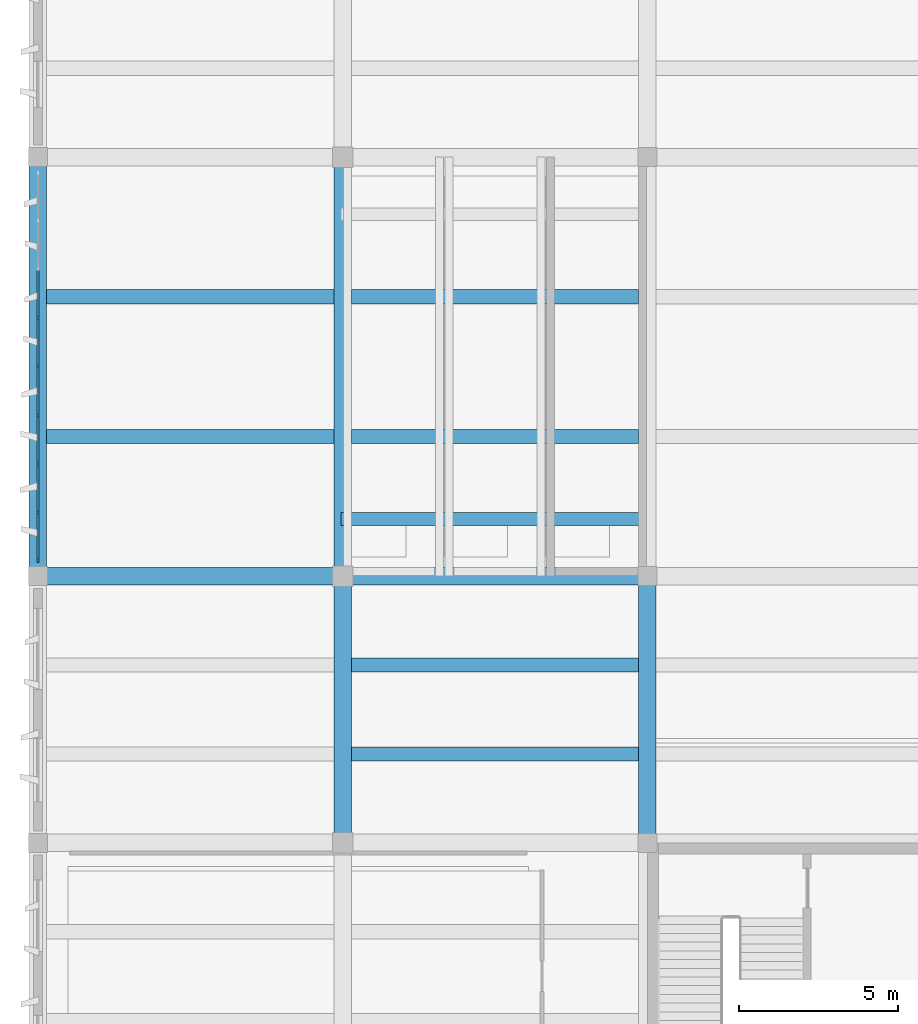
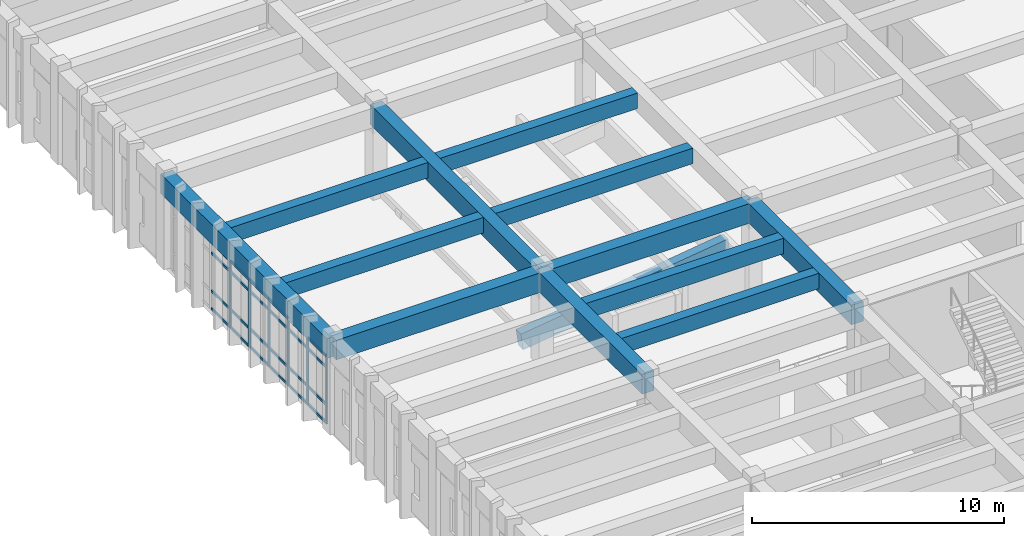
# One storey, part 5 of 86: 30 members, 13 beams, 1 element without a shape of its own.
"""IFC4 building model written with IfcOpenShell, lengths in metres."""

import ifcopenshell
import ifcopenshell.guid

model = None  # the IFC model being written
_history = None  # IfcOwnerHistory: only IFC2X3 demands one
_inside = {}  # id of a spatial element -> (the spatial element, [elements in it])
_under = {}  # id of a project, library or spatial element -> (it, [spatial elements below it])
_declared = {}  # id of a project -> (the project, [libraries it declares])
_typed = {}  # id of a type object -> (the type object, [elements of that type])
_made_of = {}  # id of a material, layer set ... -> (it, [elements and type objects made of it])


def new_model(schema):
    """Start an empty IFC model of exactly this schema.

    Asked for "IFC4X3", IfcOpenShell would pick the latest addendum, in which some entities
    have other attributes; the version numbers below select the first issue.
    IFC2X3 requires an IfcOwnerHistory on every rooted entity: one is made here for all.
    """
    global model, _history
    if schema == "IFC4X3":
        model = ifcopenshell.file(schema_version=(4, 3, 0, 0))
    else:
        model = ifcopenshell.file(schema=schema)
    _inside.clear()
    _under.clear()
    _declared.clear()
    _typed.clear()
    _made_of.clear()
    _history = None
    if model.schema == "IFC2X3":
        org = make("IfcOrganization", Name="unknown")
        user = make(
            "IfcPersonAndOrganization",
            ThePerson=make("IfcPerson", FamilyName="unknown"),
            TheOrganization=org,
        )
        app = make(
            "IfcApplication",
            ApplicationDeveloper=org,
            Version="unknown",
            ApplicationFullName="unknown",
            ApplicationIdentifier="unknown",
        )
        _history = make(
            "IfcOwnerHistory",
            OwningUser=user,
            OwningApplication=app,
            ChangeAction="ADDED",
            CreationDate=0,
        )
    return model


def make(cls, **values):
    """One entity of the class cls with the attributes given. An attribute that is None is left unset."""
    return model.create_entity(
        cls, **{name: value for name, value in values.items() if value is not None}
    )


def rooted(cls, **values):
    """An entity with a GlobalId (a new one), such as an element, a storey or a relation."""
    return make(cls, GlobalId=ifcopenshell.guid.new(), OwnerHistory=_history, **values)


def si_unit(unit_type, name, prefix=None):
    """IfcSIUnit, for example si_unit("LENGTHUNIT", "METRE", prefix="MILLI")."""
    return make("IfcSIUnit", UnitType=unit_type, Prefix=prefix, Name=name)


def assignment(units):
    """IfcUnitAssignment: the units of a project."""
    return None if units is None else make("IfcUnitAssignment", Units=units)


def point(xyz):
    """IfcCartesianPoint."""
    return None if xyz is None else make("IfcCartesianPoint", Coordinates=xyz)


def direction(xyz):
    """IfcDirection."""
    return None if xyz is None else make("IfcDirection", DirectionRatios=xyz)


def frame(location, z_axis=None, x_axis=None):
    """IfcAxis2Placement3D, a coordinate frame: its origin and axes. An axis left out is left unset."""
    return make(
        "IfcAxis2Placement3D",
        Location=point(location),
        Axis=direction(z_axis),
        RefDirection=direction(x_axis),
    )


def frame_2d(location, x_axis=None):
    """IfcAxis2Placement2D, a coordinate frame in the plane: its origin and x axis."""
    return make(
        "IfcAxis2Placement2D", Location=point(location), RefDirection=direction(x_axis)
    )


def origin():
    """The frame at (0, 0, 0) with its axes left unset."""
    return frame((0.0, 0.0, 0.0))


def origin_2d():
    """The frame at (0, 0) in the plane with its x axis left unset."""
    return frame_2d((0.0, 0.0))


def place(relative_to, where):
    """IfcLocalPlacement: puts the frame where relative to a parent placement (None: the world)."""
    return make(
        "IfcLocalPlacement", PlacementRelTo=relative_to, RelativePlacement=where
    )


def context(
    kind, dimensions, precision=None, world=None, true_north=None, identifier=None
):
    """IfcGeometricRepresentationContext, for example the 3D "Model" context."""
    return make(
        "IfcGeometricRepresentationContext",
        ContextIdentifier=identifier,
        ContextType=kind,
        CoordinateSpaceDimension=dimensions,
        Precision=precision,
        WorldCoordinateSystem=world,
        TrueNorth=true_north,
    )


def subcontext(parent, identifier, kind, view, scale=None):
    """IfcGeometricRepresentationSubContext, for example "Body" below "Model"."""
    return make(
        "IfcGeometricRepresentationSubContext",
        ContextIdentifier=identifier,
        ContextType=kind,
        ParentContext=parent,
        TargetScale=scale,
        TargetView=view,
    )


def project(units=None, contexts=None):
    """IfcProject with its units and contexts."""
    return rooted(
        "IfcProject",
        Name="project",
        RepresentationContexts=contexts,
        UnitsInContext=assignment(units),
    )


def spatial(cls, under=None, at=None, **own):
    """A site, building, storey or space (cls), placed at a placement, below another one or the project."""
    s = rooted(cls, ObjectPlacement=at, **own)
    if under is not None:
        _under.setdefault(under.id(), (under, []))[1].append(s)
    return s


def profile(cls, at=None, kind="AREA", **sizes):
    """A parametric profile (cls). Its sizes go by their IFC names, for example OverallWidth=200.0."""
    return make(cls, ProfileType=kind, Position=at, **sizes)


def rectangle(**sizes):
    """IfcRectangleProfileDef."""
    return profile("IfcRectangleProfileDef", **sizes)


def extrude(swept, where, along, depth):
    """IfcExtrudedAreaSolid: the profile swept, set in the frame where, extruded along a direction by depth."""
    return make(
        "IfcExtrudedAreaSolid",
        SweptArea=swept,
        Position=where,
        ExtrudedDirection=direction(along),
        Depth=depth,
    )


def shape(context_of_items, identifier, shape_type, items):
    """IfcShapeRepresentation: the items that make up one representation, for example the "Body"."""
    return make(
        "IfcShapeRepresentation",
        ContextOfItems=context_of_items,
        RepresentationIdentifier=identifier,
        RepresentationType=shape_type,
        Items=items,
    )


def material(Name=None, Category=None):
    """IfcMaterial."""
    return make("IfcMaterial", Name=Name, Category=Category)


def layer(
    of_material, thickness, ventilated=None, Name=None, Category=None, Priority=None
):
    """IfcMaterialLayer: one layer of a wall or slab, of a material (None: an air gap)."""
    return make(
        "IfcMaterialLayer",
        Material=of_material,
        LayerThickness=thickness,
        IsVentilated=ventilated,
        Name=Name,
        Category=Category,
        Priority=Priority,
    )


def layer_set(layers, Name=None):
    """IfcMaterialLayerSet."""
    return make("IfcMaterialLayerSet", MaterialLayers=layers, LayerSetName=Name)


def material_profile(
    of_material, cross_section, Name=None, Category=None, Priority=None
):
    """IfcMaterialProfile: a cross section and its material."""
    return make(
        "IfcMaterialProfile",
        Name=Name,
        Material=of_material,
        Profile=cross_section,
        Priority=Priority,
        Category=Category,
    )


def profile_set(profiles, Name=None, composite=None):
    """IfcMaterialProfileSet."""
    return make(
        "IfcMaterialProfileSet",
        Name=Name,
        MaterialProfiles=profiles,
        CompositeProfile=composite,
    )


def made_of(thing, what):
    """Note that an element or type object is made of a material, layer set ...; save() writes the relation."""
    if what is not None:
        _made_of.setdefault(what.id(), (what, []))[1].append(thing)
    return thing


def type_object(cls, material=None, **own):
    """A type object (cls), such as IfcWallType, which elements share."""
    return made_of(rooted(cls, **own), material)


def element(
    cls,
    number,
    at=None,
    inside=None,
    cuts=None,
    type_object=None,
    material=None,
    context=None,
    identifier="Body",
    shape_type=None,
    held_by="IfcProductDefinitionShape",
    body=None,
    shapes=None,
    **own,
):
    """One element of the class cls, such as IfcWall. Its Tag is "e" and its number.

    at: its placement. inside: the storey or other place that contains it. cuts: it is an
    opening in that element (IfcRelVoidsElement). A single representation is given by context,
    identifier, shape_type and body (its items); several are given by shapes. held_by: the class
    of the entity that holds the representations. save() writes the other relations.
    """
    e = rooted(cls, Tag="e%d" % number, ObjectPlacement=at, **own)
    if body is not None:
        shapes = [shape(context, identifier, shape_type, body)]
    if shapes is not None:
        e.Representation = make(held_by, Representations=shapes)
    if inside is not None:
        _inside.setdefault(inside.id(), (inside, []))[1].append(e)
    if cuts is not None:
        rooted(
            "IfcRelVoidsElement", RelatingBuildingElement=cuts, RelatedOpeningElement=e
        )
    if type_object is not None:
        _typed.setdefault(type_object.id(), (type_object, []))[1].append(e)
    return made_of(e, material)


def aggregate(whole, parts):
    """IfcRelAggregates: a whole, such as a stair, and the parts it consists of."""
    return rooted("IfcRelAggregates", RelatingObject=whole, RelatedObjects=parts)


def save(model, path):
    """Write the relations noted so far, then the file.

    IfcRelAggregates (storeys below a building ...), IfcRelContainedInSpatialStructure (elements
    in a storey), IfcRelDefinesByType, IfcRelAssociatesMaterial and IfcRelDeclares: one each for
    every whole, place, type object, material and project.
    """
    for whole, parts in _under.values():
        aggregate(whole, parts)
    for where, things in _inside.values():
        rooted(
            "IfcRelContainedInSpatialStructure",
            RelatedElements=things,
            RelatingStructure=where,
        )
    for kind, things in _typed.values():
        rooted("IfcRelDefinesByType", RelatedObjects=things, RelatingType=kind)
    for what, things in _made_of.values():
        rooted("IfcRelAssociatesMaterial", RelatedObjects=things, RelatingMaterial=what)
    for by, libraries in _declared.values():
        rooted("IfcRelDeclares", RelatingContext=by, RelatedDefinitions=libraries)
    model.write(path)


model = new_model("IFC4")

# Units and contexts
model_context = context("Model", 3, precision=1e-05, world=origin(), true_north=direction((0.0, 1.0)))
body_context = subcontext(model_context, "Body", "Model", "MODEL_VIEW")
ifc_project = project(units=[si_unit("LENGTHUNIT", "METRE"), si_unit("AREAUNIT", "SQUARE_METRE"), si_unit("VOLUMEUNIT", "CUBIC_METRE"), si_unit("PLANEANGLEUNIT", "RADIAN"), si_unit("MASSUNIT", "GRAM", prefix="KILO")], contexts=[model_context])

# Site, building, storey
site_placement = place(None, origin())
site = spatial("IfcSite", under=ifc_project, at=site_placement, CompositionType="ELEMENT")
building_placement = place(site_placement, origin())
building = spatial("IfcBuilding", under=site, at=building_placement, Name="Kolvemor Railside Polytechnic", CompositionType="ELEMENT")
storey_placement = place(building_placement, frame((0.0, 0.0, 5.39990234375)))
storey = spatial("IfcBuildingStorey", under=building, at=storey_placement, Name="L01", CompositionType="ELEMENT", Elevation=5.39990234375)

# Beams
ifc_material_1 = material(Name="Concrete C40/50", Category="concrete")
ifc_material_profile_1 = material_profile(ifc_material_1, rectangle(XDim=0.550048828125, YDim=0.949951171875, at=origin_2d()), Name="RC550x950")
ifc_profile_set_1 = profile_set([ifc_material_profile_1], Name="Concrete C40/50")
beam_type_1 = type_object("IfcBeamType", Name="BM-RC-GIRD", PredefinedType="BEAM", material=ifc_profile_set_1)
beam_1_placement = place(storey_placement, frame((0.0, 38.39990234375, 4.005126953125), z_axis=(1.0, 0.0, 0.0), x_axis=(0.0, 1.0, 0.0)))
element("IfcBeam", 1, at=beam_1_placement, inside=storey, type_object=beam_type_1, Name="Primary Girder L02-GX 0578", PredefinedType="BEAM", context=body_context, shape_type="SweptSolid", body=[
    extrude(rectangle(XDim=0.550048828125, YDim=0.949951171875, at=origin_2d()), origin(), (0.0, 0.0, 1.0), 9.60009765625),
])
beam_2_placement = place(storey_placement, frame((9.60009765625, 38.39990234375, 4.005126953125), z_axis=(1.0, 0.0, 0.0), x_axis=(0.0, 1.0, 0.0)))
element("IfcBeam", 2, at=beam_2_placement, inside=storey, type_object=beam_type_1, Name="Primary Girder L02-GX 0579", PredefinedType="BEAM", context=body_context, shape_type="SweptSolid", body=[
    extrude(rectangle(XDim=0.550048828125, YDim=0.949951171875, at=origin_2d()), origin(), (0.0, 0.0, 1.0), 9.599853515625),
])
beam_3_placement = place(storey_placement, frame((0.0, 38.39990234375, 4.005126953125), z_axis=(0.0, 1.0, 0.0), x_axis=(-1.0, 0.0, 0.0)))
element("IfcBeam", 3, at=beam_3_placement, inside=storey, type_object=beam_type_1, Name="Primary Girder L02-GY 0612", PredefinedType="BEAM", context=body_context, shape_type="SweptSolid", body=[
    extrude(rectangle(XDim=0.550048828125, YDim=0.949951171875, at=origin_2d()), origin(), (0.0, 0.0, 1.0), 13.2001953125),
])
beam_4_placement = place(storey_placement, frame((9.60009765625, 30.0, 4.005126953125), z_axis=(0.0, 1.0, 0.0), x_axis=(-1.0, 0.0, 0.0)))
element("IfcBeam", 4, at=beam_4_placement, inside=storey, type_object=beam_type_1, Name="Primary Girder L02-GY 0620", PredefinedType="BEAM", context=body_context, shape_type="SweptSolid", body=[
    extrude(rectangle(XDim=0.550048828125, YDim=0.949951171875, at=origin_2d()), origin(), (0.0, 0.0, 1.0), 8.39990234375),
])
beam_5_placement = place(storey_placement, frame((9.60009765625, 38.39990234375, 4.005126953125), z_axis=(0.0, 1.0, 0.0), x_axis=(-1.0, 0.0, 0.0)))
element("IfcBeam", 5, at=beam_5_placement, inside=storey, type_object=beam_type_1, Name="Primary Girder L02-GY 0621", PredefinedType="BEAM", context=body_context, shape_type="SweptSolid", body=[
    extrude(rectangle(XDim=0.550048828125, YDim=0.949951171875, at=origin_2d()), origin(), (0.0, 0.0, 1.0), 13.2001953125),
])
beam_6_placement = place(storey_placement, frame((19.199951171875, 30.0, 4.005126953125), z_axis=(0.0, 1.0, 0.0), x_axis=(-1.0, 0.0, 0.0)))
element("IfcBeam", 6, at=beam_6_placement, inside=storey, type_object=beam_type_1, Name="Primary Girder L02-GY 0629", PredefinedType="BEAM", context=body_context, shape_type="SweptSolid", body=[
    extrude(rectangle(XDim=0.550048828125, YDim=0.949951171875, at=origin_2d()), origin(), (0.0, 0.0, 1.0), 8.39990234375),
])
ifc_material_2 = material(Name="Concrete C40/50", Category="concrete")
ifc_material_profile_2 = material_profile(ifc_material_2, rectangle(XDim=0.39990234375, YDim=0.800048828125, at=origin_2d()), Name="RC400x800")
ifc_profile_set_2 = profile_set([ifc_material_profile_2], Name="Concrete C40/50")
beam_type_2 = type_object("IfcBeamType", Name="BM-RC-RAKER", PredefinedType="BEAM", material=ifc_profile_set_2)
beam_7_placement = place(storey_placement, frame((9.60009765625, 40.199951171875, -0.099853515625), z_axis=(0.990765911477, 0.0, 0.135583585491), x_axis=(0.0, 1.0, 0.0)))
element("IfcBeam", 7, at=beam_7_placement, inside=storey, type_object=beam_type_2, Name="Lecture Raker Beam RK-4-1", PredefinedType="BEAM", context=body_context, shape_type="SweptSolid", body=[
    extrude(rectangle(XDim=0.39990234375, YDim=0.800048828125, at=origin_2d()), origin(), (0.0, 0.0, 1.0), 9.588623046875),
])
ifc_material_3 = material(Name="Concrete C40/50", Category="concrete")
ifc_material_profile_3 = material_profile(ifc_material_3, rectangle(XDim=0.449951171875, YDim=0.75, at=origin_2d()), Name="RC450x750")
ifc_profile_set_3 = profile_set([ifc_material_profile_3], Name="Concrete C40/50")
beam_type_3 = type_object("IfcBeamType", Name="BM-RC-SEC", PredefinedType="JOIST", material=ifc_profile_set_3)
for number, where, z_axis, x_axis, name in (
    (8, (0.27490234375, 42.800048828125, 4.10498046875), (1.0, 0.0, 0.0), (0.0, 1.0, 0.0), "Floor Joist L02-J0670"),
    (9, (0.27490234375, 47.199951171875, 4.10498046875), (1.0, 0.0, 0.0), (0.0, 1.0, 0.0), "Floor Joist L02-J0671"),
    (10, (9.875, 32.800048828125, 4.10498046875), (1.0, 0.0, 0.0), (0.0, 1.0, 0.0), "Floor Joist L02-J0686"),
    (11, (9.875, 35.60009765625, 4.10498046875), (1.0, 0.0, 0.0), (0.0, 1.0, 0.0), "Floor Joist L02-J0687"),
    (12, (9.875, 42.800048828125, 4.10498046875), (1.0, 0.0, 0.0), (0.0, 1.0, 0.0), "Floor Joist L02-J0688"),
    (13, (9.875, 47.199951171875, 4.10498046875), (1.0, 0.0, 0.0), (0.0, 1.0, 0.0), "Floor Joist L02-J0689"),
):
    element("IfcBeam", number, at=place(storey_placement, frame(where, z_axis=z_axis, x_axis=x_axis)), inside=storey, type_object=beam_type_3, Name=name, PredefinedType="JOIST", context=body_context, shape_type="SweptSolid", body=[
        extrude(rectangle(XDim=0.449951171875, YDim=0.75, at=origin_2d()), origin(), (0.0, 0.0, 1.0), 9.050048828125),
    ])

# Curtain wall, members
ifc_material_4 = material(Name="Anodised marine aluminium and laminated low-E glass", Category="aluminium")
ifc_layer = layer(ifc_material_4, 0.179931640625, Name="CW-UNIT-STD")
ifc_layer_set = layer_set([ifc_layer], Name="Anodised marine aluminium and laminated low-E glass")
curtain_wall_type = type_object("IfcCurtainWallType", Name="CW-UNIT-STD", PredefinedType="USERDEFINED", material=ifc_layer_set)
curtain_wall_placement = place(storey_placement, origin())
curtain_wall = element("IfcCurtainWall", 14, at=curtain_wall_placement, inside=storey, type_object=curtain_wall_type, Name="Curtain Wall L01-053", ObjectType="UNITISED CURTAIN WALL", PredefinedType="USERDEFINED")
ifc_material_5 = material(Name="Anodised marine aluminium 6063-T6", Category="aluminium")
ifc_material_profile_4 = material_profile(ifc_material_5, rectangle(XDim=0.06494140625, YDim=0.14990234375, at=origin_2d()), Name="CW-MUL-65x150")
ifc_profile_set_4 = profile_set([ifc_material_profile_4], Name="Anodised marine aluminium 6063-T6")
member_type_1 = type_object("IfcMemberType", Name="CWM-65x150", PredefinedType="MULLION", material=ifc_profile_set_4)
member_1_placement = place(storey_placement, frame((0.0, 46.532470703125, 0.0), z_axis=(0.0, 0.0, 1.0), x_axis=(1.0, 0.0, 0.0)))
member_1 = element("IfcMember", 15, at=member_1_placement, type_object=member_type_1, Name="CW-STD mullion 4", PredefinedType="MULLION", context=body_context, shape_type="SweptSolid", body=[
    extrude(rectangle(XDim=0.06494140625, YDim=0.14990234375, at=origin_2d()), origin(), (0.0, 0.0, 1.0), 3.280029296875),
])
member_2_placement = place(storey_placement, frame((0.0, 45.0, 0.0), z_axis=(0.0, 0.0, 1.0), x_axis=(1.0, 0.0, 0.0)))
member_2 = element("IfcMember", 16, at=member_2_placement, type_object=member_type_1, Name="CW-STD mullion 5", PredefinedType="MULLION", context=body_context, shape_type="SweptSolid", body=[
    extrude(rectangle(XDim=0.06494140625, YDim=0.14990234375, at=origin_2d()), origin(), (0.0, 0.0, 1.0), 3.280029296875),
])
member_3_placement = place(storey_placement, frame((0.0, 43.467529296875, 0.0), z_axis=(0.0, 0.0, 1.0), x_axis=(1.0, 0.0, 0.0)))
member_3 = element("IfcMember", 17, at=member_3_placement, type_object=member_type_1, Name="CW-STD mullion 6", PredefinedType="MULLION", context=body_context, shape_type="SweptSolid", body=[
    extrude(rectangle(XDim=0.06494140625, YDim=0.14990234375, at=origin_2d()), origin(), (0.0, 0.0, 1.0), 3.280029296875),
])
member_4_placement = place(storey_placement, frame((0.0, 41.93505859375, 0.0), z_axis=(0.0, 0.0, 1.0), x_axis=(1.0, 0.0, 0.0)))
member_4 = element("IfcMember", 18, at=member_4_placement, type_object=member_type_1, Name="CW-STD mullion 7", PredefinedType="MULLION", context=body_context, shape_type="SweptSolid", body=[
    extrude(rectangle(XDim=0.06494140625, YDim=0.14990234375, at=origin_2d()), origin(), (0.0, 0.0, 1.0), 3.280029296875),
])
member_5_placement = place(storey_placement, frame((0.0, 40.402587890625, 0.0), z_axis=(0.0, 0.0, 1.0), x_axis=(1.0, 0.0, 0.0)))
member_5 = element("IfcMember", 19, at=member_5_placement, type_object=member_type_1, Name="CW-STD mullion 8", PredefinedType="MULLION", context=body_context, shape_type="SweptSolid", body=[
    extrude(rectangle(XDim=0.06494140625, YDim=0.14990234375, at=origin_2d()), origin(), (0.0, 0.0, 1.0), 3.280029296875),
])
member_6_placement = place(storey_placement, frame((0.0, 38.902587890625, 0.0), z_axis=(0.0, 0.0, 1.0), x_axis=(1.0, 0.0, 0.0)))
member_6 = element("IfcMember", 20, at=member_6_placement, type_object=member_type_1, Name="CW-STD mullion 9", PredefinedType="MULLION", context=body_context, shape_type="SweptSolid", body=[
    extrude(rectangle(XDim=0.06494140625, YDim=0.14990234375, at=origin_2d()), origin(), (0.0, 0.0, 1.0), 3.280029296875),
])
ifc_material_6 = material(Name="Anodised marine aluminium 6063-T6", Category="aluminium")
ifc_material_profile_5 = material_profile(ifc_material_6, rectangle(XDim=0.06494140625, YDim=0.1201171875, at=origin_2d()), Name="CW-TRN-65x120")
ifc_profile_set_5 = profile_set([ifc_material_profile_5], Name="Anodised marine aluminium 6063-T6")
member_type_2 = type_object("IfcMemberType", Name="CWT-65x120", PredefinedType="USERDEFINED", material=ifc_profile_set_5)
member_7_placement = place(storey_placement, frame((0.0, 48.032470703125, 0.03271484375), z_axis=(0.0, -1.0, 0.0), x_axis=(1.0, 0.0, 0.0)))
member_7 = element("IfcMember", 21, at=member_7_placement, type_object=member_type_2, Name="CW-STD transom 3.1", ObjectType="TRANSOM", PredefinedType="USERDEFINED", context=body_context, shape_type="SweptSolid", body=[
    extrude(rectangle(XDim=0.06494140625, YDim=0.1201171875, at=origin_2d()), origin(), (0.0, 0.0, 1.0), 1.467529296875),
])
member_8_placement = place(storey_placement, frame((0.0, 48.032470703125, 0.900146484375), z_axis=(0.0, -1.0, 0.0), x_axis=(1.0, 0.0, 0.0)))
member_8 = element("IfcMember", 22, at=member_8_placement, type_object=member_type_2, Name="CW-STD transom 3.2", ObjectType="TRANSOM", PredefinedType="USERDEFINED", context=body_context, shape_type="SweptSolid", body=[
    extrude(rectangle(XDim=0.06494140625, YDim=0.1201171875, at=origin_2d()), origin(), (0.0, 0.0, 1.0), 1.467529296875),
])
member_9_placement = place(storey_placement, frame((0.0, 48.032470703125, 2.72998046875), z_axis=(0.0, -1.0, 0.0), x_axis=(1.0, 0.0, 0.0)))
member_9 = element("IfcMember", 23, at=member_9_placement, type_object=member_type_2, Name="CW-STD transom 3.3", ObjectType="TRANSOM", PredefinedType="USERDEFINED", context=body_context, shape_type="SweptSolid", body=[
    extrude(rectangle(XDim=0.06494140625, YDim=0.1201171875, at=origin_2d()), origin(), (0.0, 0.0, 1.0), 1.467529296875),
])
member_10_placement = place(storey_placement, frame((0.0, 48.032470703125, 3.24755859375), z_axis=(0.0, -1.0, 0.0), x_axis=(1.0, 0.0, 0.0)))
member_10 = element("IfcMember", 24, at=member_10_placement, type_object=member_type_2, Name="CW-STD transom 3.4", ObjectType="TRANSOM", PredefinedType="USERDEFINED", context=body_context, shape_type="SweptSolid", body=[
    extrude(rectangle(XDim=0.06494140625, YDim=0.1201171875, at=origin_2d()), origin(), (0.0, 0.0, 1.0), 1.467529296875),
])
member_11_placement = place(storey_placement, frame((0.0, 46.5, 0.03271484375), z_axis=(0.0, -1.0, 0.0), x_axis=(1.0, 0.0, 0.0)))
member_11 = element("IfcMember", 25, at=member_11_placement, type_object=member_type_2, Name="CW-STD transom 4.1", ObjectType="TRANSOM", PredefinedType="USERDEFINED", context=body_context, shape_type="SweptSolid", body=[
    extrude(rectangle(XDim=0.06494140625, YDim=0.1201171875, at=origin_2d()), origin(), (0.0, 0.0, 1.0), 1.467529296875),
])
member_12_placement = place(storey_placement, frame((0.0, 46.5, 0.900146484375), z_axis=(0.0, -1.0, 0.0), x_axis=(1.0, 0.0, 0.0)))
member_12 = element("IfcMember", 26, at=member_12_placement, type_object=member_type_2, Name="CW-STD transom 4.2", ObjectType="TRANSOM", PredefinedType="USERDEFINED", context=body_context, shape_type="SweptSolid", body=[
    extrude(rectangle(XDim=0.06494140625, YDim=0.1201171875, at=origin_2d()), origin(), (0.0, 0.0, 1.0), 1.467529296875),
])
member_13_placement = place(storey_placement, frame((0.0, 46.5, 2.72998046875), z_axis=(0.0, -1.0, 0.0), x_axis=(1.0, 0.0, 0.0)))
member_13 = element("IfcMember", 27, at=member_13_placement, type_object=member_type_2, Name="CW-STD transom 4.3", ObjectType="TRANSOM", PredefinedType="USERDEFINED", context=body_context, shape_type="SweptSolid", body=[
    extrude(rectangle(XDim=0.06494140625, YDim=0.1201171875, at=origin_2d()), origin(), (0.0, 0.0, 1.0), 1.467529296875),
])
member_14_placement = place(storey_placement, frame((0.0, 46.5, 3.24755859375), z_axis=(0.0, -1.0, 0.0), x_axis=(1.0, 0.0, 0.0)))
member_14 = element("IfcMember", 28, at=member_14_placement, type_object=member_type_2, Name="CW-STD transom 4.4", ObjectType="TRANSOM", PredefinedType="USERDEFINED", context=body_context, shape_type="SweptSolid", body=[
    extrude(rectangle(XDim=0.06494140625, YDim=0.1201171875, at=origin_2d()), origin(), (0.0, 0.0, 1.0), 1.467529296875),
])
member_15_placement = place(storey_placement, frame((0.0, 44.967529296875, 0.03271484375), z_axis=(0.0, -1.0, 0.0), x_axis=(1.0, 0.0, 0.0)))
member_15 = element("IfcMember", 29, at=member_15_placement, type_object=member_type_2, Name="CW-STD transom 5.1", ObjectType="TRANSOM", PredefinedType="USERDEFINED", context=body_context, shape_type="SweptSolid", body=[
    extrude(rectangle(XDim=0.06494140625, YDim=0.1201171875, at=origin_2d()), origin(), (0.0, 0.0, 1.0), 1.467529296875),
])
member_16_placement = place(storey_placement, frame((0.0, 44.967529296875, 0.900146484375), z_axis=(0.0, -1.0, 0.0), x_axis=(1.0, 0.0, 0.0)))
member_16 = element("IfcMember", 30, at=member_16_placement, type_object=member_type_2, Name="CW-STD transom 5.2", ObjectType="TRANSOM", PredefinedType="USERDEFINED", context=body_context, shape_type="SweptSolid", body=[
    extrude(rectangle(XDim=0.06494140625, YDim=0.1201171875, at=origin_2d()), origin(), (0.0, 0.0, 1.0), 1.467529296875),
])
member_17_placement = place(storey_placement, frame((0.0, 44.967529296875, 2.72998046875), z_axis=(0.0, -1.0, 0.0), x_axis=(1.0, 0.0, 0.0)))
member_17 = element("IfcMember", 31, at=member_17_placement, type_object=member_type_2, Name="CW-STD transom 5.3", ObjectType="TRANSOM", PredefinedType="USERDEFINED", context=body_context, shape_type="SweptSolid", body=[
    extrude(rectangle(XDim=0.06494140625, YDim=0.1201171875, at=origin_2d()), origin(), (0.0, 0.0, 1.0), 1.467529296875),
])
member_18_placement = place(storey_placement, frame((0.0, 44.967529296875, 3.24755859375), z_axis=(0.0, -1.0, 0.0), x_axis=(1.0, 0.0, 0.0)))
member_18 = element("IfcMember", 32, at=member_18_placement, type_object=member_type_2, Name="CW-STD transom 5.4", ObjectType="TRANSOM", PredefinedType="USERDEFINED", context=body_context, shape_type="SweptSolid", body=[
    extrude(rectangle(XDim=0.06494140625, YDim=0.1201171875, at=origin_2d()), origin(), (0.0, 0.0, 1.0), 1.467529296875),
])
member_19_placement = place(storey_placement, frame((0.0, 43.43505859375, 0.03271484375), z_axis=(0.0, -1.0, 0.0), x_axis=(1.0, 0.0, 0.0)))
member_19 = element("IfcMember", 33, at=member_19_placement, type_object=member_type_2, Name="CW-STD transom 6.1", ObjectType="TRANSOM", PredefinedType="USERDEFINED", context=body_context, shape_type="SweptSolid", body=[
    extrude(rectangle(XDim=0.06494140625, YDim=0.1201171875, at=origin_2d()), origin(), (0.0, 0.0, 1.0), 1.467529296875),
])
member_20_placement = place(storey_placement, frame((0.0, 43.43505859375, 0.900146484375), z_axis=(0.0, -1.0, 0.0), x_axis=(1.0, 0.0, 0.0)))
member_20 = element("IfcMember", 34, at=member_20_placement, type_object=member_type_2, Name="CW-STD transom 6.2", ObjectType="TRANSOM", PredefinedType="USERDEFINED", context=body_context, shape_type="SweptSolid", body=[
    extrude(rectangle(XDim=0.06494140625, YDim=0.1201171875, at=origin_2d()), origin(), (0.0, 0.0, 1.0), 1.467529296875),
])
member_21_placement = place(storey_placement, frame((0.0, 43.43505859375, 2.72998046875), z_axis=(0.0, -1.0, 0.0), x_axis=(1.0, 0.0, 0.0)))
member_21 = element("IfcMember", 35, at=member_21_placement, type_object=member_type_2, Name="CW-STD transom 6.3", ObjectType="TRANSOM", PredefinedType="USERDEFINED", context=body_context, shape_type="SweptSolid", body=[
    extrude(rectangle(XDim=0.06494140625, YDim=0.1201171875, at=origin_2d()), origin(), (0.0, 0.0, 1.0), 1.467529296875),
])
member_22_placement = place(storey_placement, frame((0.0, 43.43505859375, 3.24755859375), z_axis=(0.0, -1.0, 0.0), x_axis=(1.0, 0.0, 0.0)))
member_22 = element("IfcMember", 36, at=member_22_placement, type_object=member_type_2, Name="CW-STD transom 6.4", ObjectType="TRANSOM", PredefinedType="USERDEFINED", context=body_context, shape_type="SweptSolid", body=[
    extrude(rectangle(XDim=0.06494140625, YDim=0.1201171875, at=origin_2d()), origin(), (0.0, 0.0, 1.0), 1.467529296875),
])
member_23_placement = place(storey_placement, frame((0.0, 41.902587890625, 0.03271484375), z_axis=(0.0, -1.0, 0.0), x_axis=(1.0, 0.0, 0.0)))
member_23 = element("IfcMember", 37, at=member_23_placement, type_object=member_type_2, Name="CW-STD transom 7.1", ObjectType="TRANSOM", PredefinedType="USERDEFINED", context=body_context, shape_type="SweptSolid", body=[
    extrude(rectangle(XDim=0.06494140625, YDim=0.1201171875, at=origin_2d()), origin(), (0.0, 0.0, 1.0), 1.467529296875),
])
member_24_placement = place(storey_placement, frame((0.0, 41.902587890625, 0.900146484375), z_axis=(0.0, -1.0, 0.0), x_axis=(1.0, 0.0, 0.0)))
member_24 = element("IfcMember", 38, at=member_24_placement, type_object=member_type_2, Name="CW-STD transom 7.2", ObjectType="TRANSOM", PredefinedType="USERDEFINED", context=body_context, shape_type="SweptSolid", body=[
    extrude(rectangle(XDim=0.06494140625, YDim=0.1201171875, at=origin_2d()), origin(), (0.0, 0.0, 1.0), 1.467529296875),
])
member_25_placement = place(storey_placement, frame((0.0, 41.902587890625, 2.72998046875), z_axis=(0.0, -1.0, 0.0), x_axis=(1.0, 0.0, 0.0)))
member_25 = element("IfcMember", 39, at=member_25_placement, type_object=member_type_2, Name="CW-STD transom 7.3", ObjectType="TRANSOM", PredefinedType="USERDEFINED", context=body_context, shape_type="SweptSolid", body=[
    extrude(rectangle(XDim=0.06494140625, YDim=0.1201171875, at=origin_2d()), origin(), (0.0, 0.0, 1.0), 1.467529296875),
])
member_26_placement = place(storey_placement, frame((0.0, 41.902587890625, 3.24755859375), z_axis=(0.0, -1.0, 0.0), x_axis=(1.0, 0.0, 0.0)))
member_26 = element("IfcMember", 40, at=member_26_placement, type_object=member_type_2, Name="CW-STD transom 7.4", ObjectType="TRANSOM", PredefinedType="USERDEFINED", context=body_context, shape_type="SweptSolid", body=[
    extrude(rectangle(XDim=0.06494140625, YDim=0.1201171875, at=origin_2d()), origin(), (0.0, 0.0, 1.0), 1.467529296875),
])
member_27_placement = place(storey_placement, frame((0.0, 40.3701171875, 0.03271484375), z_axis=(0.0, -1.0, 0.0), x_axis=(1.0, 0.0, 0.0)))
member_27 = element("IfcMember", 41, at=member_27_placement, type_object=member_type_2, Name="CW-STD transom 8.1", ObjectType="TRANSOM", PredefinedType="USERDEFINED", context=body_context, shape_type="SweptSolid", body=[
    extrude(rectangle(XDim=0.06494140625, YDim=0.1201171875, at=origin_2d()), origin(), (0.0, 0.0, 1.0), 1.43505859375),
])
member_28_placement = place(storey_placement, frame((0.0, 40.3701171875, 0.900146484375), z_axis=(0.0, -1.0, 0.0), x_axis=(1.0, 0.0, 0.0)))
member_28 = element("IfcMember", 42, at=member_28_placement, type_object=member_type_2, Name="CW-STD transom 8.2", ObjectType="TRANSOM", PredefinedType="USERDEFINED", context=body_context, shape_type="SweptSolid", body=[
    extrude(rectangle(XDim=0.06494140625, YDim=0.1201171875, at=origin_2d()), origin(), (0.0, 0.0, 1.0), 1.43505859375),
])
member_29_placement = place(storey_placement, frame((0.0, 40.3701171875, 2.72998046875), z_axis=(0.0, -1.0, 0.0), x_axis=(1.0, 0.0, 0.0)))
member_29 = element("IfcMember", 43, at=member_29_placement, type_object=member_type_2, Name="CW-STD transom 8.3", ObjectType="TRANSOM", PredefinedType="USERDEFINED", context=body_context, shape_type="SweptSolid", body=[
    extrude(rectangle(XDim=0.06494140625, YDim=0.1201171875, at=origin_2d()), origin(), (0.0, 0.0, 1.0), 1.43505859375),
])
member_30_placement = place(storey_placement, frame((0.0, 40.3701171875, 3.24755859375), z_axis=(0.0, -1.0, 0.0), x_axis=(1.0, 0.0, 0.0)))
member_30 = element("IfcMember", 44, at=member_30_placement, type_object=member_type_2, Name="CW-STD transom 8.4", ObjectType="TRANSOM", PredefinedType="USERDEFINED", context=body_context, shape_type="SweptSolid", body=[
    extrude(rectangle(XDim=0.06494140625, YDim=0.1201171875, at=origin_2d()), origin(), (0.0, 0.0, 1.0), 1.43505859375),
])
aggregate(curtain_wall, [member_1, member_2, member_3, member_4, member_5, member_6, member_7, member_8, member_9, member_10, member_11, member_12, member_13, member_14, member_15, member_16, member_17, member_18, member_19, member_20, member_21, member_22, member_23, member_24, member_25, member_26, member_27, member_28, member_29, member_30])

save(model, "model.ifc")
